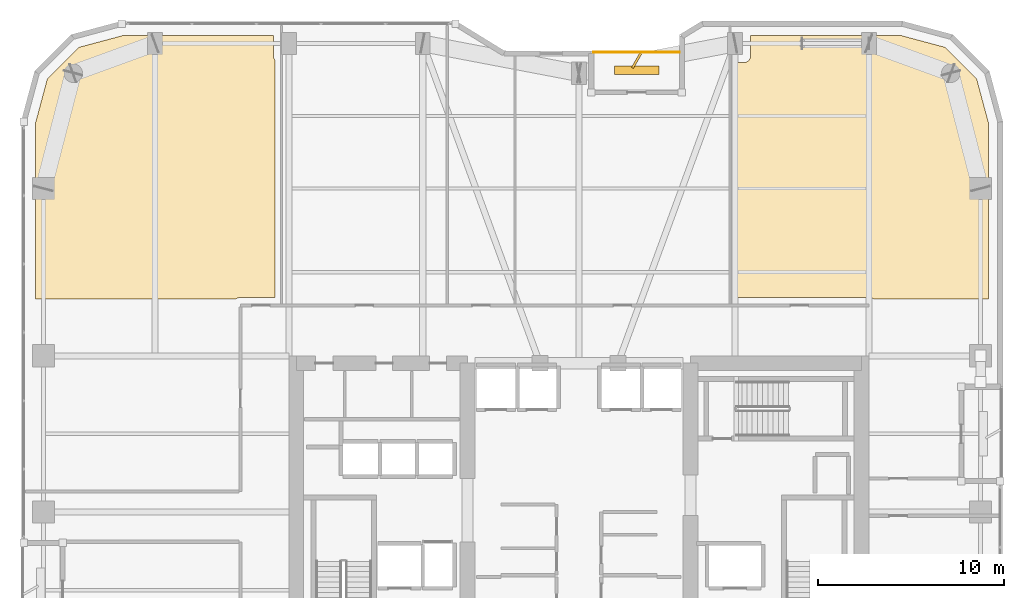
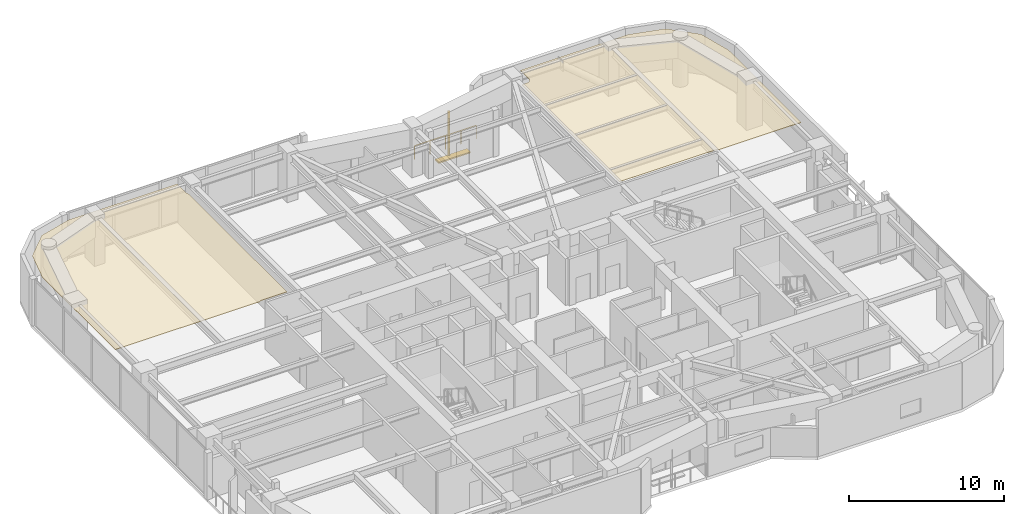
# One storey, part 30 of 30: 2 coverings, 2 shading devices, 1 railing.
"""IFC4 building model written with IfcOpenShell, lengths in metres."""

from ifc_helpers import new_model, si_unit, direction, frame, origin, origin_2d, place, context, subcontext, project, spatial, polyline, rectangle, outline, extrude, material, layer, layer_set, type_object, element, save


model = new_model("IFC4")

# Units and contexts
model_context = context("Model", 3, precision=1e-05, world=origin(), true_north=direction((0.0, 1.0)))
body_context = subcontext(model_context, "Body", "Model", "MODEL_VIEW")
ifc_project = project(units=[si_unit("LENGTHUNIT", "METRE"), si_unit("AREAUNIT", "SQUARE_METRE"), si_unit("VOLUMEUNIT", "CUBIC_METRE"), si_unit("PLANEANGLEUNIT", "RADIAN"), si_unit("MASSUNIT", "GRAM", prefix="KILO")], contexts=[model_context])

# Site, building, storey
site_placement = place(None, origin())
site = spatial("IfcSite", under=ifc_project, at=site_placement, CompositionType="ELEMENT")
building_placement = place(site_placement, origin())
building = spatial("IfcBuilding", under=site, at=building_placement, Name="Kiyonajd Concourse Tower", CompositionType="ELEMENT")
storey_placement = place(building_placement, frame((0.0, 0.0, 170.10009765625)))
storey = spatial("IfcBuildingStorey", under=building, at=storey_placement, Name="L43", CompositionType="ELEMENT", Elevation=170.10009765625)

# Coverings
ifc_material_1 = material(Name="Natural Oak Acoustic Timber Veneer", Category="wood")
ifc_layer = layer(ifc_material_1, 0.0400390625)
ifc_layer_set = layer_set([ifc_layer], Name="Natural Oak Acoustic Timber Veneer")
covering_type = type_object("IfcCoveringType", Name="CV-CLG-ACST", PredefinedType="CEILING", material=ifc_layer_set)
covering_1_placement = place(storey_placement, frame((0.0, 0.0, 3.5)))
element("IfcCovering", 1, at=covering_1_placement, inside=storey, type_object=covering_type, Name="L43-48 Room Acoustic Ceiling", PredefinedType="CEILING", context=body_context, shape_type="SweptSolid", body=[
    extrude(outline(polyline([(21.097900390625, 60.986083984375), (23.5009765625, 61.6298828125), (31.570068359375, 61.6298828125), (31.572021484375, 60.486083984375), (31.596923828125, 60.385986328125), (31.64990234375, 60.297119140625), (31.64990234375, 47.5400390625), (29.800048828125, 47.5400390625), (29.669921875, 47.52001953125), (29.60693359375, 47.493896484375), (29.552001953125, 47.4599609375), (18.77001953125, 47.4599609375), (18.77001953125, 56.89892578125), (19.4140625, 59.302001953125), (21.097900390625, 60.986083984375)])), origin(), (0.0, 0.0, 1.0), 0.039794921875),
])
covering_2_placement = place(storey_placement, frame((0.0, 0.0, 3.5)))
element("IfcCovering", 2, at=covering_2_placement, inside=storey, type_object=covering_type, Name="L43-52 Room Acoustic Ceiling", PredefinedType="CEILING", context=body_context, shape_type="SweptSolid", body=[
    extrude(outline(polyline([(57.22998046875, 61.6298828125), (65.299072265625, 61.6298828125), (67.701904296875, 60.986083984375), (69.385986328125, 59.302001953125), (70.030029296875, 56.89892578125), (70.030029296875, 47.4599609375), (63.847900390625, 47.4599609375), (63.79296875, 47.493896484375), (63.72998046875, 47.52001953125), (63.60009765625, 47.5400390625), (56.489990234375, 47.5400390625), (56.489990234375, 60.169921875), (56.8798828125, 60.169921875), (56.98193359375, 60.18505859375), (57.044921875, 60.2109375), (57.10205078125, 60.2490234375), (57.15087890625, 60.298095703125), (57.18896484375, 60.35498046875), (57.215087890625, 60.41796875), (57.22998046875, 60.52001953125), (57.22998046875, 61.6298828125)])), origin(), (0.0, 0.0, 1.0), 0.039794921875),
])

# Railing
ifc_material_2 = material(Name="Thermally Broken Anodised Aluminium", Category="aluminium")
railing_type = type_object("IfcRailingType", Name="RL-GRD-LOG", PredefinedType="GUARDRAIL", material=ifc_material_2)
railing_placement = place(storey_placement, frame((53.39990234375, 60.719970703125, 0.0)))
element("IfcRailing", 3, at=railing_placement, inside=storey, type_object=railing_type, Name="L43 Engawa Loggia Perimeter Guard LOG-N", PredefinedType="GUARDRAIL", context=body_context, shape_type="SweptSolid", body=[
    extrude(rectangle(XDim=0.048095703125, YDim=0.048095703125, at=origin_2d()), frame((0.0, 0.0, 1.076171875), z_axis=(-1.0, 0.0, 0.0), x_axis=(0.0, -1.0, 0.0)), (0.0, 0.0, 1.0), 4.599853515625),
    extrude(rectangle(XDim=0.0419921875, YDim=0.0419921875, at=origin_2d()), origin(), (0.0, 0.0, 1.0), 1.052001953125),
    extrude(rectangle(XDim=0.0419921875, YDim=0.0419921875, at=origin_2d()), frame((-1.14990234375, 0.0, 0.0)), (0.0, 0.0, 1.0), 1.052001953125),
    extrude(rectangle(XDim=0.0419921875, YDim=0.0419921875, at=origin_2d()), frame((-2.2998046875, 0.0, 0.0)), (0.0, 0.0, 1.0), 1.052001953125),
    extrude(rectangle(XDim=0.0419921875, YDim=0.0419921875, at=origin_2d()), frame((-3.449951171875, 0.0, 0.0)), (0.0, 0.0, 1.0), 1.052001953125),
    extrude(rectangle(XDim=0.0419921875, YDim=0.0419921875, at=origin_2d()), frame((-4.599853515625, 0.0, 0.0)), (0.0, 0.0, 1.0), 1.052001953125),
])

# Shading devices
ifc_material_3 = material(Name="Precast concrete C50/60", Category="concrete")
shading_device_type_1 = type_object("IfcShadingDeviceType", Name="SH-FIN-900", PredefinedType="USERDEFINED", material=ifc_material_3)
shading_device_1_placement = place(storey_placement, frame((51.10009765625, 60.27001953125, 0.0), z_axis=(0.0, 0.0, 1.0), x_axis=(0.5, 0.866025403784, 0.0)))
element("IfcShadingDevice", 4, at=shading_device_1_placement, inside=storey, type_object=shading_device_type_1, Name="L43 Angled Koshi Solar Fin LOG-N", ObjectType="FIN", PredefinedType="USERDEFINED", context=body_context, shape_type="SweptSolid", body=[
    extrude(rectangle(XDim=0.89990234375, YDim=0.1201171875, at=origin_2d()), origin(), (0.0, 0.0, 1.0), 3.0),
])
shading_device_type_2 = type_object("IfcShadingDeviceType", Name="SH-LVR-600", PredefinedType="JALOUSIE", material=ifc_material_2)
shading_device_2_placement = place(storey_placement, frame((51.10009765625, 59.75, -0.000244140625), z_axis=(0.0, 0.0, 1.0), x_axis=(1.0, 0.0, 0.0)))
element("IfcShadingDevice", 5, at=shading_device_2_placement, inside=storey, type_object=shading_device_type_2, Name="L43 Loggia Threshold Louver LOG-N", PredefinedType="JALOUSIE", context=body_context, shape_type="SweptSolid", body=[
    extrude(rectangle(XDim=2.39990234375, YDim=0.449951171875, at=origin_2d()), origin(), (0.0, 0.0, 1.0), 0.10009765625),
])

save(model, "model.ifc")
